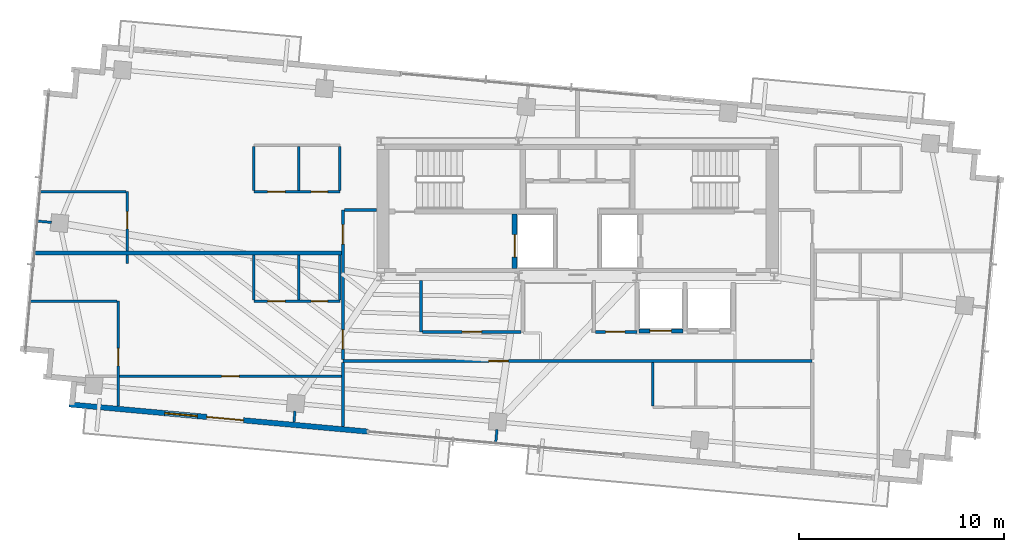
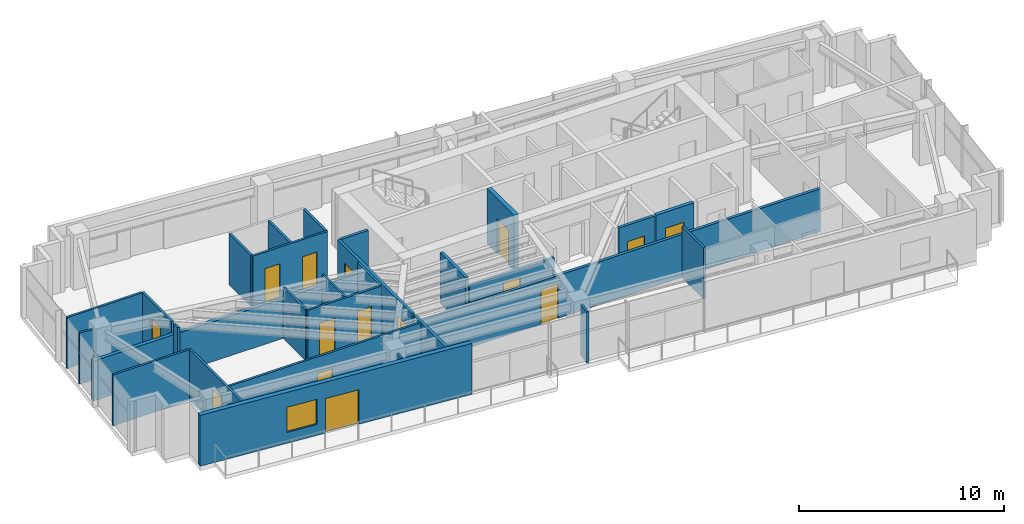
# One storey, part 16 of 22: 29 walls, 15 doors, 1 window, 16 openings.
"""IFC4 building model written with IfcOpenShell, lengths in metres."""

from ifc_helpers import new_model, si_unit, direction, frame, frame_2d, origin, place, context, subcontext, project, spatial, rectangle, extrude, source, transform, mapped, material, layer, layer_set, type_object, type_shapes, element, fill, save


model = new_model("IFC4")

# Units and contexts
model_context = context("Model", 3, precision=1e-05, world=origin(), true_north=direction((0.0, 1.0)))
body_context = subcontext(model_context, "Body", "Model", "MODEL_VIEW")
ifc_project = project(units=[si_unit("LENGTHUNIT", "METRE"), si_unit("AREAUNIT", "SQUARE_METRE"), si_unit("VOLUMEUNIT", "CUBIC_METRE"), si_unit("PLANEANGLEUNIT", "RADIAN"), si_unit("MASSUNIT", "GRAM", prefix="KILO")], contexts=[model_context])

# Site, building, storey
site_placement = place(None, origin())
site = spatial("IfcSite", under=ifc_project, at=site_placement, CompositionType="ELEMENT")
building_placement = place(site_placement, origin())
building = spatial("IfcBuilding", under=site, at=building_placement, Name="Astriad Promenade Condominiums", CompositionType="ELEMENT")
storey_placement = place(building_placement, frame((0.0, 0.0, 246.300048828125)))
storey = spatial("IfcBuildingStorey", under=building, at=storey_placement, Name="L71", CompositionType="ELEMENT", Elevation=246.300048828125)

# Wall, opening, door
ifc_material_1 = material(Name="Concrete C50/60", Category="concrete")
ifc_layer_1 = layer(ifc_material_1, 0.25)
ifc_layer_set_1 = layer_set([ifc_layer_1], Name="Concrete C50/60")
wall_type_1 = type_object("IfcWallType", Name="WALL-CORE-INT-250", PredefinedType="SOLIDWALL", material=ifc_layer_set_1)
wall_1_placement = place(storey_placement, frame((32.925048828125, 17.802001953125, 0.0), z_axis=(0.0, 0.0, 1.0), x_axis=(0.0, 1.0, 0.0)))
wall_1 = element("IfcWall", 1, at=wall_1_placement, inside=storey, type_object=wall_type_1, Name="CW-FFL1-W-L71", PredefinedType="SOLIDWALL", context=body_context, shape_type="SweptSolid", body=[
    extrude(rectangle(XDim=2.64599609375, YDim=0.25, at=frame_2d((1.322998046875, 0.0))), origin(), (0.0, 0.0, 1.0), 3.300048828125),
])
opening_1_placement = place(wall_1_placement, frame((0.548095703125, 0.0, 0.0)))
opening_1 = element("IfcOpeningElement", 2, at=opening_1_placement, cuts=wall_1, Name="Opening LD-FFL-1122", PredefinedType="OPENING", context=body_context, shape_type="SweptSolid", body=[
    extrude(rectangle(XDim=1.10009765625, YDim=2.080078125, at=frame_2d((0.550048828125, 1.0400390625))), frame((0.0, 0.135009765625, 0.0), z_axis=(0.0, -1.0, 0.0), x_axis=(1.0, 0.0, 0.0)), (0.0, 0.0, 1.0), 0.27001953125),
])
ifc_material_2 = material(Name="Brushed Stainless Steel Fire Elevator Landing Door", Category="steel")
door_type_1 = type_object("IfcDoorType", Name="LD-FFL-1122", OperationType="NOTDEFINED", PredefinedType="DOOR", material=ifc_material_2)
shared_shape_1 = source(origin(), body_context, "Body", "SweptSolid", [
    extrude(rectangle(XDim=1.10009765625, YDim=2.080078125, at=frame_2d((0.550048828125, 1.0400390625))), frame((0.0, 0.02490234375, 0.0), z_axis=(0.0, -1.0, 0.0), x_axis=(1.0, 0.0, 0.0)), (0.0, 0.0, 1.0), 0.050048828125),
])
type_shapes(door_type_1, [shared_shape_1])
door_1_placement = place(opening_1_placement, origin())
door_1 = element("IfcDoor", 3, at=door_1_placement, inside=storey, type_object=door_type_1, Name="Elevator Landing Door FFL-1 (L71)", OperationType="SLIDING_TO_LEFT", OverallHeight=2.080078125, OverallWidth=1.10009765625, PredefinedType="DOOR", context=body_context, shape_type="MappedRepresentation", body=[
    mapped(shared_shape_1, transform((0.0, 0.0, 0.0), scale=1.0)),
])
fill(opening_1, door_1)

ifc_material_3 = material(Name="Fire-Rated Gypsum Partition")
ifc_layer_2 = layer(ifc_material_3, 0.159912109375)
ifc_layer_set_2 = layer_set([ifc_layer_2], Name="Fire-Rated Gypsum Partition")
wall_type_2 = type_object("IfcWallType", Name="WALL-CORR-160", PredefinedType="PARTITIONING", material=ifc_layer_set_2)
wall_2_placement = place(storey_placement, frame((24.550048828125, 13.280029296875, 0.0), z_axis=(0.0, 0.0, 1.0), x_axis=(1.0, 0.0, 0.0)))
wall_2 = element("IfcWall", 4, at=wall_2_placement, inside=storey, type_object=wall_type_2, Name="PT-COR-S-L71", PredefinedType="PARTITIONING", context=body_context, shape_type="SweptSolid", body=[
    extrude(rectangle(XDim=22.89990234375, YDim=0.159912109375, at=frame_2d((11.449951171875, 0.0))), origin(), (0.0, 0.0, 1.0), 2.555908203125),
])
opening_2_placement = place(wall_2_placement, frame((7.125, 0.0, 0.0)))
opening_2 = element("IfcOpeningElement", 5, at=opening_2_placement, cuts=wall_2, Name="Opening FD60-APT-095", PredefinedType="OPENING", context=body_context, shape_type="SweptSolid", body=[
    extrude(rectangle(XDim=0.949951171875, YDim=2.06005859375, at=frame_2d((0.47509765625, 1.030029296875))), frame((0.0, 0.08984375, 0.0), z_axis=(0.0, -1.0, 0.0), x_axis=(1.0, 0.0, 0.0)), (0.0, 0.0, 1.0), 0.179931640625),
])
ifc_material_4 = material(Name="Solid-Core Acoustic Timber Residence Entry Door", Category="wood")
door_type_2 = type_object("IfcDoorType", Name="FD60-APT-095", OperationType="NOTDEFINED", PredefinedType="DOOR", material=ifc_material_4)
shared_shape_2 = source(origin(), body_context, "Body", "SweptSolid", [
    extrude(rectangle(XDim=0.949951171875, YDim=2.06005859375, at=frame_2d((0.47509765625, 1.030029296875))), frame((0.0, 0.02490234375, 0.0), z_axis=(0.0, -1.0, 0.0), x_axis=(1.0, 0.0, 0.0)), (0.0, 0.0, 1.0), 0.050048828125),
])
type_shapes(door_type_2, [shared_shape_2])
door_2_placement = place(opening_2_placement, origin())
door_2 = element("IfcDoor", 6, at=door_2_placement, inside=storey, type_object=door_type_2, Name="D-ENT-L71-S1", OperationType="SINGLE_SWING_RIGHT", OverallHeight=2.06005859375, OverallWidth=0.949951171875, PredefinedType="DOOR", context=body_context, shape_type="MappedRepresentation", body=[
    mapped(shared_shape_2, transform((0.0, 0.0, 0.0), scale=1.0)),
])
fill(opening_2, door_2)

# Wall
wall_3_placement = place(storey_placement, frame((24.550048828125, 10.0771484375, 0.0), z_axis=(0.0, 0.0, 1.0), x_axis=(0.0, 1.0, 0.0)))
element("IfcWall", 7, at=wall_3_placement, inside=storey, type_object=wall_type_2, Name="PT-COR-W-L71", PredefinedType="PARTITIONING", context=body_context, shape_type="SweptSolid", body=[
    extrude(rectangle(XDim=3.120849609375, YDim=0.159912109375, at=frame_2d((1.560546875, 0.0))), origin(), (0.0, 0.0, 1.0), 3.0400390625),
])

# Wall, openings, doors
wall_4_placement = place(storey_placement, frame((24.550048828125, 13.362060546875, 0.0), z_axis=(0.0, 0.0, 1.0), x_axis=(0.0, 1.0, 0.0)))
wall_4 = element("IfcWall", 8, at=wall_4_placement, inside=storey, type_object=wall_type_2, Name="PT-COR-W-L71-S2", PredefinedType="PARTITIONING", context=body_context, shape_type="SweptSolid", body=[
    extrude(rectangle(XDim=7.287841796875, YDim=0.159912109375, at=frame_2d((3.64404296875, 0.0))), origin(), (0.0, 0.0, 1.0), 3.0400390625),
])
opening_3_placement = place(wall_4_placement, frame((0.492919921875, 0.0, 0.0)))
opening_3 = element("IfcOpeningElement", 9, at=opening_3_placement, cuts=wall_4, Name="Opening FD60-APT-095", PredefinedType="OPENING", context=body_context, shape_type="SweptSolid", body=[
    extrude(rectangle(XDim=0.949951171875, YDim=2.06005859375, at=frame_2d((0.47509765625, 1.030029296875))), frame((0.0, 0.08984375, 0.0), z_axis=(0.0, -1.0, 0.0), x_axis=(1.0, 0.0, 0.0)), (0.0, 0.0, 1.0), 0.179931640625),
])
opening_4_placement = place(wall_4_placement, frame((5.623046875, 0.0, 0.0)))
opening_4 = element("IfcOpeningElement", 10, at=opening_4_placement, cuts=wall_4, Name="Opening FD60-APT-095", PredefinedType="OPENING", context=body_context, shape_type="SweptSolid", body=[
    extrude(rectangle(XDim=0.949951171875, YDim=2.06005859375, at=frame_2d((0.47509765625, 1.030029296875))), frame((0.0, 0.08984375, 0.0), z_axis=(0.0, -1.0, 0.0), x_axis=(1.0, 0.0, 0.0)), (0.0, 0.0, 1.0), 0.179931640625),
])
door_3_placement = place(opening_3_placement, origin())
door_3 = element("IfcDoor", 11, at=door_3_placement, inside=storey, type_object=door_type_2, Name="D-ENT-L71-W1", OperationType="SINGLE_SWING_RIGHT", OverallHeight=2.06005859375, OverallWidth=0.949951171875, PredefinedType="DOOR", context=body_context, shape_type="MappedRepresentation", body=[
    mapped(shared_shape_2, transform((0.0, 0.0, 0.0), scale=1.0)),
])
fill(opening_3, door_3)
door_4_placement = place(opening_4_placement, origin())
door_4 = element("IfcDoor", 12, at=door_4_placement, inside=storey, type_object=door_type_2, Name="D-ENT-L71-W2", OperationType="SINGLE_SWING_LEFT", OverallHeight=2.06005859375, OverallWidth=0.949951171875, PredefinedType="DOOR", context=body_context, shape_type="MappedRepresentation", body=[
    mapped(shared_shape_2, transform((0.0, 0.0, 0.0), scale=1.0)),
])
fill(opening_4, door_4)

# Walls
wall_5_placement = place(storey_placement, frame((24.632080078125, 20.64990234375, 0.0), z_axis=(0.0, 0.0, 1.0), x_axis=(1.0, 0.0, 0.0)))
element("IfcWall", 13, at=wall_5_placement, inside=storey, type_object=wall_type_2, Name="PT-Z3W-N-L71", PredefinedType="PARTITIONING", context=body_context, shape_type="SweptSolid", body=[
    extrude(rectangle(XDim=1.56591796875, YDim=0.159912109375, at=frame_2d((0.782958984375, 0.0))), origin(), (0.0, 0.0, 1.0), 3.0400390625),
])
wall_6_placement = place(storey_placement, frame((28.360107421875, 14.699951171875, 0.0), z_axis=(0.0, 0.0, 1.0), x_axis=(0.0, 1.0, 0.0)))
element("IfcWall", 14, at=wall_6_placement, inside=storey, type_object=wall_type_2, Name="PT-Z3REC-W-L71", PredefinedType="PARTITIONING", context=body_context, shape_type="SweptSolid", body=[
    extrude(rectangle(XDim=2.498046875, YDim=0.159912109375, at=frame_2d((1.2490234375, 0.0))), origin(), (0.0, 0.0, 1.0), 3.0400390625),
])

# Wall, opening, door
wall_7_placement = place(storey_placement, frame((28.44189453125, 14.699951171875, 0.0), z_axis=(0.0, 0.0, 1.0), x_axis=(1.0, 0.0, 0.0)))
wall_7 = element("IfcWall", 15, at=wall_7_placement, inside=storey, type_object=wall_type_2, Name="PT-Z3REC-S-L71", PredefinedType="PARTITIONING", context=body_context, shape_type="SweptSolid", body=[
    extrude(rectangle(XDim=4.796142578125, YDim=0.159912109375, at=frame_2d((2.39794921875, 0.0))), origin(), (0.0, 0.0, 1.0), 2.555908203125),
])
opening_5_placement = place(wall_7_placement, frame((1.923095703125, 0.0, 0.0)))
opening_5 = element("IfcOpeningElement", 16, at=opening_5_placement, cuts=wall_7, Name="Opening FD60-APT-095", PredefinedType="OPENING", context=body_context, shape_type="SweptSolid", body=[
    extrude(rectangle(XDim=0.949951171875, YDim=2.06005859375, at=frame_2d((0.47509765625, 1.030029296875))), frame((0.0, 0.08984375, 0.0), z_axis=(0.0, -1.0, 0.0), x_axis=(1.0, 0.0, 0.0)), (0.0, 0.0, 1.0), 0.179931640625),
])
door_5_placement = place(opening_5_placement, origin())
door_5 = element("IfcDoor", 17, at=door_5_placement, inside=storey, type_object=door_type_2, Name="D-Z3R-L71", OperationType="SINGLE_SWING_RIGHT", OverallHeight=2.06005859375, OverallWidth=0.949951171875, PredefinedType="DOOR", context=body_context, shape_type="MappedRepresentation", body=[
    mapped(shared_shape_2, transform((0.0, 0.0, 0.0), scale=1.0)),
])
fill(opening_5, door_5)

wall_8_placement = place(storey_placement, frame((36.882080078125, 14.699951171875, 0.0), z_axis=(0.0, 0.0, 1.0), x_axis=(1.0, 0.0, 0.0)))
wall_8 = element("IfcWall", 18, at=wall_8_placement, inside=storey, type_object=wall_type_2, Name="PT-Z3R2-S-L71", PredefinedType="PARTITIONING", context=body_context, shape_type="SweptSolid", body=[
    extrude(rectangle(XDim=2.017822265625, YDim=0.159912109375, at=frame_2d((1.0087890625, 0.0))), origin(), (0.0, 0.0, 1.0), 3.0400390625),
])
opening_6_placement = place(wall_8_placement, frame((0.48291015625, 0.0, 0.0)))
opening_6 = element("IfcOpeningElement", 19, at=opening_6_placement, cuts=wall_8, Name="Opening FD60-APT-095", PredefinedType="OPENING", context=body_context, shape_type="SweptSolid", body=[
    extrude(rectangle(XDim=0.949951171875, YDim=2.06005859375, at=frame_2d((0.47509765625, 1.030029296875))), frame((0.0, 0.08984375, 0.0), z_axis=(0.0, -1.0, 0.0), x_axis=(1.0, 0.0, 0.0)), (0.0, 0.0, 1.0), 0.179931640625),
])
door_6_placement = place(opening_6_placement, origin())
door_6 = element("IfcDoor", 20, at=door_6_placement, inside=storey, type_object=door_type_2, Name="D-Z3N-L71", OperationType="SINGLE_SWING_LEFT", OverallHeight=2.06005859375, OverallWidth=0.949951171875, PredefinedType="DOOR", context=body_context, shape_type="MappedRepresentation", body=[
    mapped(shared_shape_2, transform((0.0, 0.0, 0.0), scale=1.0)),
])
fill(opening_6, door_6)

# Wall
ifc_material_5 = material(Name="Acoustic Double-Stud Gypsum Partition")
ifc_layer_3 = layer(ifc_material_5, 0.199951171875)
ifc_layer_set_3 = layer_set([ifc_layer_3], Name="Acoustic Double-Stud Gypsum Partition")
wall_type_3 = type_object("IfcWallType", Name="WALL-DEMISING-200", PredefinedType="PARTITIONING", material=ifc_layer_set_3)
wall_9_placement = place(storey_placement, frame((9.43359375, 18.550048828125, 0.0), z_axis=(0.0, 0.0, 1.0), x_axis=(1.0, 0.0, 0.0)))
element("IfcWall", 21, at=wall_9_placement, inside=storey, type_object=wall_type_3, Name="PT-DEM-WW-L71", PredefinedType="PARTITIONING", context=body_context, shape_type="SweptSolid", body=[
    extrude(rectangle(XDim=15.034423828125, YDim=0.199951171875, at=frame_2d((7.51708984375, 0.0))), origin(), (0.0, 0.0, 1.0), 2.38134765625),
])

# Wall, openings, door, window
ifc_material_6 = material(Name="Precast concrete C50/60", Category="concrete")
ifc_layer_4 = layer(ifc_material_6, 0.260009765625)
ifc_layer_set_4 = layer_set([ifc_layer_4], Name="Precast concrete C50/60")
wall_type_4 = type_object("IfcWallType", Name="WALL-EXT-TWR-260", PredefinedType="STANDARD", material=ifc_layer_set_4)
wall_10_placement = place(storey_placement, frame((25.760986328125, 9.83447265625, 0.0), z_axis=(0.0, 0.0, 1.0), x_axis=(-0.995884584572, 0.090630536861, 0.0)))
wall_10 = element("IfcWall", 22, at=wall_10_placement, inside=storey, type_object=wall_type_4, Name="W-EXT-L71-S2", PredefinedType="STANDARD", context=body_context, shape_type="SweptSolid", body=[
    extrude(rectangle(XDim=14.630126953125, YDim=0.260009765625, at=frame_2d((7.31494140625, 0.0))), origin(), (0.0, 0.0, 1.0), 3.0400390625),
])
opening_7_placement = place(wall_10_placement, frame((6.090087890625, 0.0, 0.0)))
opening_7 = element("IfcOpeningElement", 23, at=opening_7_placement, cuts=wall_10, Name="Opening BD-1822-SLD", PredefinedType="OPENING", context=body_context, shape_type="SweptSolid", body=[
    extrude(rectangle(XDim=1.800048828125, YDim=2.06005859375, at=frame_2d((0.89990234375, 1.030029296875))), frame((0.0, 0.139892578125, 0.0), z_axis=(0.0, -1.0, 0.0), x_axis=(1.0, 0.0, 0.0)), (0.0, 0.0, 1.0), 0.280029296875),
])
opening_8_placement = place(wall_10_placement, frame((8.35009765625, 0.0, 0.64990234375)))
opening_8 = element("IfcOpeningElement", 24, at=opening_8_placement, cuts=wall_10, Name="Opening WIN-TWR-1620", PredefinedType="OPENING", context=body_context, shape_type="SweptSolid", body=[
    extrude(rectangle(XDim=1.60009765625, YDim=1.5, at=frame_2d((0.800048828125, 0.75))), frame((0.0, 0.139892578125, 0.0), z_axis=(0.0, -1.0, 0.0), x_axis=(1.0, 0.0, 0.0)), (0.0, 0.0, 1.0), 0.280029296875),
])
ifc_material_7 = material(Name="Thermally Broken Aluminium Sliding Balcony Door", Category="aluminium")
door_type_3 = type_object("IfcDoorType", Name="BD-1822-SLD", OperationType="NOTDEFINED", PredefinedType="DOOR", material=ifc_material_7)
shared_shape_3 = source(origin(), body_context, "Body", "SweptSolid", [
    extrude(rectangle(XDim=1.800048828125, YDim=2.06005859375, at=frame_2d((0.89990234375, 1.030029296875))), frame((0.0, 0.02490234375, 0.0), z_axis=(0.0, -1.0, 0.0), x_axis=(1.0, 0.0, 0.0)), (0.0, 0.0, 1.0), 0.050048828125),
])
type_shapes(door_type_3, [shared_shape_3])
door_7_placement = place(opening_7_placement, origin())
door_7 = element("IfcDoor", 25, at=door_7_placement, inside=storey, type_object=door_type_3, Name="BD-L71-SW", OperationType="SLIDING_TO_LEFT", OverallHeight=2.06005859375, OverallWidth=1.800048828125, PredefinedType="DOOR", context=body_context, shape_type="MappedRepresentation", body=[
    mapped(shared_shape_3, transform((0.0, 0.0, 0.0), scale=1.0)),
])
fill(opening_7, door_7)
ifc_material_8 = material(Name="Dark Tinted Triple-Glazed Aluminium Window", Category="aluminium")
window_type = type_object("IfcWindowType", Name="WIN-TWR-1620", PartitioningType="SINGLE_PANEL", PredefinedType="WINDOW", material=ifc_material_8)
shared_shape_4 = source(origin(), body_context, "Body", "SweptSolid", [
    extrude(rectangle(XDim=1.60009765625, YDim=1.5, at=frame_2d((0.800048828125, 0.75))), frame((0.0, 0.030029296875, 0.0), z_axis=(0.0, -1.0, 0.0), x_axis=(1.0, 0.0, 0.0)), (0.0, 0.0, 1.0), 0.06005859375),
])
type_shapes(window_type, [shared_shape_4])
window_placement = place(opening_8_placement, origin())
window = element("IfcWindow", 26, at=window_placement, inside=storey, type_object=window_type, Name="WIN-L71-SW", OverallHeight=1.5, OverallWidth=1.60009765625, PartitioningType="SINGLE_PANEL", PredefinedType="WINDOW", context=body_context, shape_type="MappedRepresentation", body=[
    mapped(shared_shape_4, transform((0.0, 0.0, 0.0), scale=1.0)),
])
fill(opening_8, window)

# Wall
ifc_material_9 = material(Name="Acoustic Metal-Stud Gypsum Partition")
ifc_layer_5 = layer(ifc_material_9, 0.1201171875)
ifc_layer_set_5 = layer_set([ifc_layer_5], Name="Acoustic Metal-Stud Gypsum Partition")
wall_type_5 = type_object("IfcWallType", Name="WALL-PART-120", PredefinedType="PARTITIONING", material=ifc_layer_set_5)
wall_11_placement = place(storey_placement, frame((39.669921875, 11.092041015625, 0.0), z_axis=(0.0, 0.0, 1.0), x_axis=(0.0, 1.0, 0.0)))
element("IfcWall", 27, at=wall_11_placement, inside=storey, type_object=wall_type_5, Name="PT-L71-S1-PKW", PredefinedType="PARTITIONING", context=body_context, shape_type="SweptSolid", body=[
    extrude(rectangle(XDim=2.10595703125, YDim=0.1201171875, at=frame_2d((1.052978515625, 0.0))), origin(), (0.0, 0.0, 1.0), 3.0400390625),
])

# Wall, openings, doors
wall_12_placement = place(storey_placement, frame((20.199951171875, 16.199951171875, 0.0), z_axis=(0.0, 0.0, 1.0), x_axis=(1.0, 0.0, 0.0)))
wall_12 = element("IfcWall", 28, at=wall_12_placement, inside=storey, type_object=wall_type_5, Name="PT-L71-W1-PH", PredefinedType="PARTITIONING", context=body_context, shape_type="SweptSolid", body=[
    extrude(rectangle(XDim=4.199951171875, YDim=0.1201171875, at=frame_2d((2.10009765625, 0.0))), origin(), (0.0, 0.0, 1.0), 3.0400390625),
])
opening_9_placement = place(wall_12_placement, frame((0.675048828125, 0.0, 0.0)))
opening_9 = element("IfcOpeningElement", 29, at=opening_9_placement, cuts=wall_12, Name="Opening D-INT-085", PredefinedType="OPENING", context=body_context, shape_type="SweptSolid", body=[
    extrude(rectangle(XDim=0.85009765625, YDim=2.050048828125, at=frame_2d((0.425048828125, 1.02490234375))), frame((0.0, 0.070068359375, 0.0), z_axis=(0.0, -1.0, 0.0), x_axis=(1.0, 0.0, 0.0)), (0.0, 0.0, 1.0), 0.14013671875),
])
opening_10_placement = place(wall_12_placement, frame((2.800048828125, 0.0, 0.0)))
opening_10 = element("IfcOpeningElement", 30, at=opening_10_placement, cuts=wall_12, Name="Opening D-WET-080", PredefinedType="OPENING", context=body_context, shape_type="SweptSolid", body=[
    extrude(rectangle(XDim=0.800048828125, YDim=2.02001953125, at=frame_2d((0.39990234375, 1.010009765625))), frame((0.0, 0.070068359375, 0.0), z_axis=(0.0, -1.0, 0.0), x_axis=(1.0, 0.0, 0.0)), (0.0, 0.0, 1.0), 0.14013671875),
])
ifc_material_10 = material(Name="Moisture-Resistant Timber Bathroom Door", Category="wood")
door_type_4 = type_object("IfcDoorType", Name="D-WET-080", OperationType="NOTDEFINED", PredefinedType="DOOR", material=ifc_material_10)
shared_shape_5 = source(origin(), body_context, "Body", "SweptSolid", [
    extrude(rectangle(XDim=0.800048828125, YDim=2.02001953125, at=frame_2d((0.39990234375, 1.010009765625))), frame((0.0, 0.02490234375, 0.0), z_axis=(0.0, -1.0, 0.0), x_axis=(1.0, 0.0, 0.0)), (0.0, 0.0, 1.0), 0.050048828125),
])
type_shapes(door_type_4, [shared_shape_5])
door_8_placement = place(opening_10_placement, origin())
door_8 = element("IfcDoor", 31, at=door_8_placement, inside=storey, type_object=door_type_4, Name="D-BTH-L71-W1", OperationType="SINGLE_SWING_RIGHT", OverallHeight=2.02001953125, OverallWidth=0.800048828125, PredefinedType="DOOR", context=body_context, shape_type="MappedRepresentation", body=[
    mapped(shared_shape_5, transform((0.0, 0.0, 0.0), scale=1.0)),
])
fill(opening_10, door_8)
ifc_material_11 = material(Name="Painted Solid-Core Timber Room Door", Category="wood")
door_type_5 = type_object("IfcDoorType", Name="D-INT-085", OperationType="NOTDEFINED", PredefinedType="DOOR", material=ifc_material_11)
shared_shape_6 = source(origin(), body_context, "Body", "SweptSolid", [
    extrude(rectangle(XDim=0.85009765625, YDim=2.050048828125, at=frame_2d((0.425048828125, 1.02490234375))), frame((0.0, 0.02490234375, 0.0), z_axis=(0.0, -1.0, 0.0), x_axis=(1.0, 0.0, 0.0)), (0.0, 0.0, 1.0), 0.050048828125),
])
type_shapes(door_type_5, [shared_shape_6])
door_9_placement = place(opening_9_placement, origin())
door_9 = element("IfcDoor", 32, at=door_9_placement, inside=storey, type_object=door_type_5, Name="D-KIT-L71-W1", OperationType="SINGLE_SWING_LEFT", OverallHeight=2.050048828125, OverallWidth=0.85009765625, PredefinedType="DOOR", context=body_context, shape_type="MappedRepresentation", body=[
    mapped(shared_shape_6, transform((0.0, 0.0, 0.0), scale=1.0)),
])
fill(opening_9, door_9)

# Walls
for number, where, z_axis, x_axis, name in (
    (33, (20.199951171875, 16.261962890625, 0.0), (0.0, 0.0, 1.0), (0.0, 1.0, 0.0), "PT-L71-W1-PK1"),
    (34, (22.39990234375, 16.261962890625, 0.0), (0.0, 0.0, 1.0), (0.0, 1.0, 0.0), "PT-L71-W1-PK2"),
    (35, (24.39990234375, 16.261962890625, 0.0), (0.0, 0.0, 1.0), (0.0, 1.0, 0.0), "PT-L71-W1-PK3"),
):
    element("IfcWall", number, at=place(storey_placement, frame(where, z_axis=z_axis, x_axis=x_axis)), inside=storey, type_object=wall_type_5, Name=name, PredefinedType="PARTITIONING", context=body_context, shape_type="SweptSolid", body=[
        extrude(rectangle(XDim=2.18603515625, YDim=0.1201171875, at=frame_2d((1.093017578125, 0.0))), origin(), (0.0, 0.0, 1.0), 3.0400390625),
    ])

# Wall, opening, door
wall_13_placement = place(storey_placement, frame((13.5810546875, 11.075439453125, 0.0), z_axis=(0.0, 0.0, 1.0), x_axis=(0.0, 1.0, 0.0)))
wall_13 = element("IfcWall", 36, at=wall_13_placement, inside=storey, type_object=wall_type_5, Name="PT-L71-W1-CAP1", PredefinedType="PARTITIONING", context=body_context, shape_type="SweptSolid", body=[
    extrude(rectangle(XDim=5.12451171875, YDim=0.1201171875, at=frame_2d((2.562255859375, 0.0))), origin(), (0.0, 0.0, 1.0), 3.0400390625),
])
opening_11_placement = place(wall_13_placement, frame((1.968505859375, 0.0, 0.0)))
opening_11 = element("IfcOpeningElement", 37, at=opening_11_placement, cuts=wall_13, Name="Opening D-INT-085", PredefinedType="OPENING", context=body_context, shape_type="SweptSolid", body=[
    extrude(rectangle(XDim=0.85009765625, YDim=2.050048828125, at=frame_2d((0.425048828125, 1.02490234375))), frame((0.0, 0.070068359375, 0.0), z_axis=(0.0, -1.0, 0.0), x_axis=(1.0, 0.0, 0.0)), (0.0, 0.0, 1.0), 0.14013671875),
])
door_10_placement = place(opening_11_placement, origin())
door_10 = element("IfcDoor", 38, at=door_10_placement, inside=storey, type_object=door_type_5, Name="D-CAP1-L71-W1", OperationType="SINGLE_SWING_LEFT", OverallHeight=2.050048828125, OverallWidth=0.85009765625, PredefinedType="DOOR", context=body_context, shape_type="MappedRepresentation", body=[
    mapped(shared_shape_6, transform((0.0, 0.0, 0.0), scale=1.0)),
])
fill(opening_11, door_10)

# Wall
wall_14_placement = place(storey_placement, frame((9.219970703125, 16.199951171875, 0.0), z_axis=(0.0, 0.0, 1.0), x_axis=(1.0, 0.0, 0.0)))
element("IfcWall", 39, at=wall_14_placement, inside=storey, type_object=wall_type_5, Name="PT-L71-W1-CAP1H", PredefinedType="PARTITIONING", context=body_context, shape_type="SweptSolid", body=[
    extrude(rectangle(XDim=4.299072265625, YDim=0.1201171875, at=frame_2d((2.1494140625, 0.0))), origin(), (0.0, 0.0, 1.0), 3.0400390625),
])

# Wall, opening, door
wall_15_placement = place(storey_placement, frame((13.64306640625, 12.534912109375, 0.0), z_axis=(0.0, 0.0, 1.0), x_axis=(1.0, 0.0, 0.0)))
wall_15 = element("IfcWall", 40, at=wall_15_placement, inside=storey, type_object=wall_type_5, Name="PT-L71-W1-CAPH2-S2", PredefinedType="PARTITIONING", context=body_context, shape_type="SweptSolid", body=[
    extrude(rectangle(XDim=10.824951171875, YDim=0.1201171875, at=frame_2d((5.41259765625, 0.0))), origin(), (0.0, 0.0, 1.0), 3.0400390625),
])
opening_12_placement = place(wall_15_placement, frame((4.988037109375, 0.0, 0.0)))
opening_12 = element("IfcOpeningElement", 41, at=opening_12_placement, cuts=wall_15, Name="Opening D-INT-085", PredefinedType="OPENING", context=body_context, shape_type="SweptSolid", body=[
    extrude(rectangle(XDim=0.85009765625, YDim=2.050048828125, at=frame_2d((0.425048828125, 1.02490234375))), frame((0.0, 0.070068359375, 0.0), z_axis=(0.0, -1.0, 0.0), x_axis=(1.0, 0.0, 0.0)), (0.0, 0.0, 1.0), 0.14013671875),
])
door_11_placement = place(opening_12_placement, origin())
door_11 = element("IfcDoor", 42, at=door_11_placement, inside=storey, type_object=door_type_5, Name="D-CAPH2-L71-W1", OperationType="SINGLE_SWING_RIGHT", OverallHeight=2.050048828125, OverallWidth=0.85009765625, PredefinedType="DOOR", context=body_context, shape_type="MappedRepresentation", body=[
    mapped(shared_shape_6, transform((0.0, 0.0, 0.0), scale=1.0)),
])
fill(opening_12, door_11)

# Wall, openings, doors
wall_16_placement = place(storey_placement, frame((20.199951171875, 21.550048828125, 0.0), z_axis=(0.0, 0.0, 1.0), x_axis=(1.0, 0.0, 0.0)))
wall_16 = element("IfcWall", 43, at=wall_16_placement, inside=storey, type_object=wall_type_5, Name="PT-L71-W2-PH", PredefinedType="PARTITIONING", context=body_context, shape_type="SweptSolid", body=[
    extrude(rectangle(XDim=4.199951171875, YDim=0.1201171875, at=frame_2d((2.10009765625, 0.0))), origin(), (0.0, 0.0, 1.0), 3.0400390625),
])
opening_13_placement = place(wall_16_placement, frame((0.675048828125, 0.0, 0.0)))
opening_13 = element("IfcOpeningElement", 44, at=opening_13_placement, cuts=wall_16, Name="Opening D-INT-085", PredefinedType="OPENING", context=body_context, shape_type="SweptSolid", body=[
    extrude(rectangle(XDim=0.85009765625, YDim=2.050048828125, at=frame_2d((0.425048828125, 1.02490234375))), frame((0.0, 0.070068359375, 0.0), z_axis=(0.0, -1.0, 0.0), x_axis=(1.0, 0.0, 0.0)), (0.0, 0.0, 1.0), 0.14013671875),
])
opening_14_placement = place(wall_16_placement, frame((2.800048828125, 0.0, 0.0)))
opening_14 = element("IfcOpeningElement", 45, at=opening_14_placement, cuts=wall_16, Name="Opening D-WET-080", PredefinedType="OPENING", context=body_context, shape_type="SweptSolid", body=[
    extrude(rectangle(XDim=0.800048828125, YDim=2.02001953125, at=frame_2d((0.39990234375, 1.010009765625))), frame((0.0, 0.070068359375, 0.0), z_axis=(0.0, -1.0, 0.0), x_axis=(1.0, 0.0, 0.0)), (0.0, 0.0, 1.0), 0.14013671875),
])
door_12_placement = place(opening_14_placement, origin())
door_12 = element("IfcDoor", 46, at=door_12_placement, inside=storey, type_object=door_type_4, Name="D-BTH-L71-W2", OperationType="SINGLE_SWING_RIGHT", OverallHeight=2.02001953125, OverallWidth=0.800048828125, PredefinedType="DOOR", context=body_context, shape_type="MappedRepresentation", body=[
    mapped(shared_shape_5, transform((0.0, 0.0, 0.0), scale=1.0)),
])
fill(opening_14, door_12)
door_13_placement = place(opening_13_placement, origin())
door_13 = element("IfcDoor", 47, at=door_13_placement, inside=storey, type_object=door_type_5, Name="D-KIT-L71-W2", OperationType="SINGLE_SWING_LEFT", OverallHeight=2.050048828125, OverallWidth=0.85009765625, PredefinedType="DOOR", context=body_context, shape_type="MappedRepresentation", body=[
    mapped(shared_shape_6, transform((0.0, 0.0, 0.0), scale=1.0)),
])
fill(opening_13, door_13)

# Walls
for number, where, z_axis, x_axis, name in (
    (48, (20.199951171875, 21.612060546875, 0.0), (0.0, 0.0, 1.0), (0.0, 1.0, 0.0), "PT-L71-W2-PK1"),
    (49, (22.39990234375, 21.612060546875, 0.0), (0.0, 0.0, 1.0), (0.0, 1.0, 0.0), "PT-L71-W2-PK2"),
    (50, (24.39990234375, 21.612060546875, 0.0), (0.0, 0.0, 1.0), (0.0, 1.0, 0.0), "PT-L71-W2-PK3"),
):
    element("IfcWall", number, at=place(storey_placement, frame(where, z_axis=z_axis, x_axis=x_axis)), inside=storey, type_object=wall_type_5, Name=name, PredefinedType="PARTITIONING", context=body_context, shape_type="SweptSolid", body=[
        extrude(rectangle(XDim=2.1259765625, YDim=0.1201171875, at=frame_2d((1.06298828125, 0.0))), origin(), (0.0, 0.0, 1.0), 3.0400390625),
    ])
wall_17_placement = place(storey_placement, frame((14.02294921875, 18.050048828125, 0.0), z_axis=(0.0, 0.0, 1.0), x_axis=(0.0, 1.0, 0.0)))
element("IfcWall", 51, at=wall_17_placement, inside=storey, type_object=wall_type_5, Name="PT-L71-W2-CAP1", PredefinedType="PARTITIONING", context=body_context, shape_type="SweptSolid", body=[
    extrude(rectangle(XDim=0.39794921875, YDim=0.1201171875, at=frame_2d((0.198974609375, 0.0))), origin(), (0.0, 0.0, 1.0), 3.0400390625),
])

# Wall, opening, door
wall_18_placement = place(storey_placement, frame((14.02294921875, 18.652099609375, 0.0), z_axis=(0.0, 0.0, 1.0), x_axis=(0.0, 1.0, 0.0)))
wall_18 = element("IfcWall", 52, at=wall_18_placement, inside=storey, type_object=wall_type_5, Name="PT-L71-W2-CAP1-S2", PredefinedType="PARTITIONING", context=body_context, shape_type="SweptSolid", body=[
    extrude(rectangle(XDim=2.89794921875, YDim=0.1201171875, at=frame_2d((1.448974609375, 0.0))), origin(), (0.0, 0.0, 1.0), 3.0400390625),
])
opening_15_placement = place(wall_18_placement, frame((1.072998046875, 0.0, 0.0)))
opening_15 = element("IfcOpeningElement", 53, at=opening_15_placement, cuts=wall_18, Name="Opening D-INT-085", PredefinedType="OPENING", context=body_context, shape_type="SweptSolid", body=[
    extrude(rectangle(XDim=0.85009765625, YDim=2.050048828125, at=frame_2d((0.425048828125, 1.02490234375))), frame((0.0, 0.070068359375, 0.0), z_axis=(0.0, -1.0, 0.0), x_axis=(1.0, 0.0, 0.0)), (0.0, 0.0, 1.0), 0.14013671875),
])
door_14_placement = place(opening_15_placement, origin())
door_14 = element("IfcDoor", 54, at=door_14_placement, inside=storey, type_object=door_type_5, Name="D-CAP1-L71-W2", OperationType="SINGLE_SWING_RIGHT", OverallHeight=2.050048828125, OverallWidth=0.85009765625, PredefinedType="DOOR", context=body_context, shape_type="MappedRepresentation", body=[
    mapped(shared_shape_6, transform((0.0, 0.0, 0.0), scale=1.0)),
])
fill(opening_15, door_14)

# Walls
wall_19_placement = place(storey_placement, frame((9.706787109375, 21.550048828125, 0.0), z_axis=(0.0, 0.0, 1.0), x_axis=(1.0, 0.0, 0.0)))
element("IfcWall", 55, at=wall_19_placement, inside=storey, type_object=wall_type_5, Name="PT-L71-W2-CAP1H", PredefinedType="PARTITIONING", context=body_context, shape_type="SweptSolid", body=[
    extrude(rectangle(XDim=4.254150390625, YDim=0.1201171875, at=frame_2d((2.126953125, 0.0))), origin(), (0.0, 0.0, 1.0), 3.0400390625),
])
wall_20_placement = place(storey_placement, frame((22.206787109375, 10.83056640625, 0.0), z_axis=(0.0, 0.0, 1.0), x_axis=(-0.090781299264, -0.995870852924, 0.0)))
element("IfcWall", 56, at=wall_20_placement, inside=storey, type_object=wall_type_5, Name="PT-PIL-L71-PC02-9", PredefinedType="PARTITIONING", context=body_context, shape_type="SweptSolid", body=[
    extrude(rectangle(XDim=0.537841796875, YDim=0.1201171875, at=frame_2d((0.26904296875, 0.0))), origin(), (0.0, 0.0, 1.0), 3.0400390625),
])
wall_21_placement = place(storey_placement, frame((32.06591796875, 9.933349609375, 0.0), z_axis=(0.0, 0.0, 1.0), x_axis=(-0.090872036342, -0.995862577373, 0.0)))
element("IfcWall", 57, at=wall_21_placement, inside=storey, type_object=wall_type_5, Name="PT-PIL-L71-PC03-10", PredefinedType="PARTITIONING", context=body_context, shape_type="SweptSolid", body=[
    extrude(rectangle(XDim=0.719970703125, YDim=0.1201171875, at=frame_2d((0.35986328125, 0.0))), origin(), (0.0, 0.0, 1.0), 3.0400390625),
])
wall_22_placement = place(storey_placement, frame((10.3330078125, 20.044677734375, 0.0), z_axis=(0.0, 0.0, 1.0), x_axis=(-0.995890573658, 0.09056470228, 0.0)))
element("IfcWall", 58, at=wall_22_placement, inside=storey, type_object=wall_type_5, Name="PT-PIL-L71-PC11-18", PredefinedType="PARTITIONING", context=body_context, shape_type="SweptSolid", body=[
    extrude(rectangle(XDim=0.76025390625, YDim=0.1201171875, at=frame_2d((0.380126953125, 0.0))), origin(), (0.0, 0.0, 1.0), 3.0400390625),
])

# Wall, opening, door
ifc_material_12 = material(Name="Gypsum Shaftliner Assembly")
ifc_layer_6 = layer(ifc_material_12, 0.199951171875)
ifc_layer_set_6 = layer_set([ifc_layer_6], Name="Gypsum Shaftliner Assembly")
wall_type_6 = type_object("IfcWallType", Name="WALL-SHAFT-200", PredefinedType="PARTITIONING", material=ifc_layer_set_6)
wall_23_placement = place(storey_placement, frame((39.001953125, 14.75, 0.0), z_axis=(0.0, 0.0, 1.0), x_axis=(1.0, 0.0, 0.0)))
wall_23 = element("IfcWall", 59, at=wall_23_placement, inside=storey, type_object=wall_type_6, Name="PL-H-FRT-L71", PredefinedType="PARTITIONING", context=body_context, shape_type="SweptSolid", body=[
    extrude(rectangle(XDim=2.14599609375, YDim=0.199951171875, at=frame_2d((1.072998046875, 0.0))), origin(), (0.0, 0.0, 1.0), 3.0400390625),
])
opening_16_placement = place(wall_23_placement, frame((0.52294921875, 0.0, 0.0)))
opening_16 = element("IfcOpeningElement", 60, at=opening_16_placement, cuts=wall_23, Name="Opening LD-PL-10522", PredefinedType="OPENING", context=body_context, shape_type="SweptSolid", body=[
    extrude(rectangle(XDim=1.050048828125, YDim=2.080078125, at=frame_2d((0.52490234375, 1.0400390625))), frame((0.0, 0.10986328125, 0.0), z_axis=(0.0, -1.0, 0.0), x_axis=(1.0, 0.0, 0.0)), (0.0, 0.0, 1.0), 0.219970703125),
])
ifc_material_13 = material(Name="Brushed Bronze Passenger Elevator Landing Door")
door_type_6 = type_object("IfcDoorType", Name="LD-PL-10522", OperationType="NOTDEFINED", PredefinedType="DOOR", material=ifc_material_13)
shared_shape_7 = source(origin(), body_context, "Body", "SweptSolid", [
    extrude(rectangle(XDim=1.050048828125, YDim=2.080078125, at=frame_2d((0.52490234375, 1.0400390625))), frame((0.0, 0.02490234375, 0.0), z_axis=(0.0, -1.0, 0.0), x_axis=(1.0, 0.0, 0.0)), (0.0, 0.0, 1.0), 0.050048828125),
])
type_shapes(door_type_6, [shared_shape_7])
door_15_placement = place(opening_16_placement, origin())
door_15 = element("IfcDoor", 61, at=door_15_placement, inside=storey, type_object=door_type_6, Name="Elevator Landing Door PL-H1 (L71)", OperationType="SLIDING_TO_LEFT", OverallHeight=2.080078125, OverallWidth=1.050048828125, PredefinedType="DOOR", context=body_context, shape_type="MappedRepresentation", body=[
    mapped(shared_shape_7, transform((0.0, 0.0, 0.0), scale=1.0)),
])
fill(opening_16, door_15)

save(model, "model.ifc")
